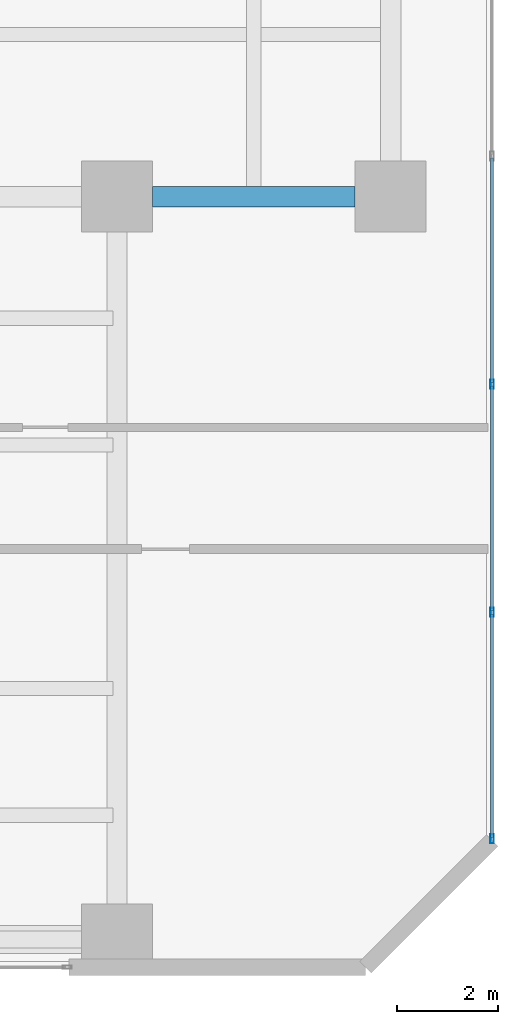
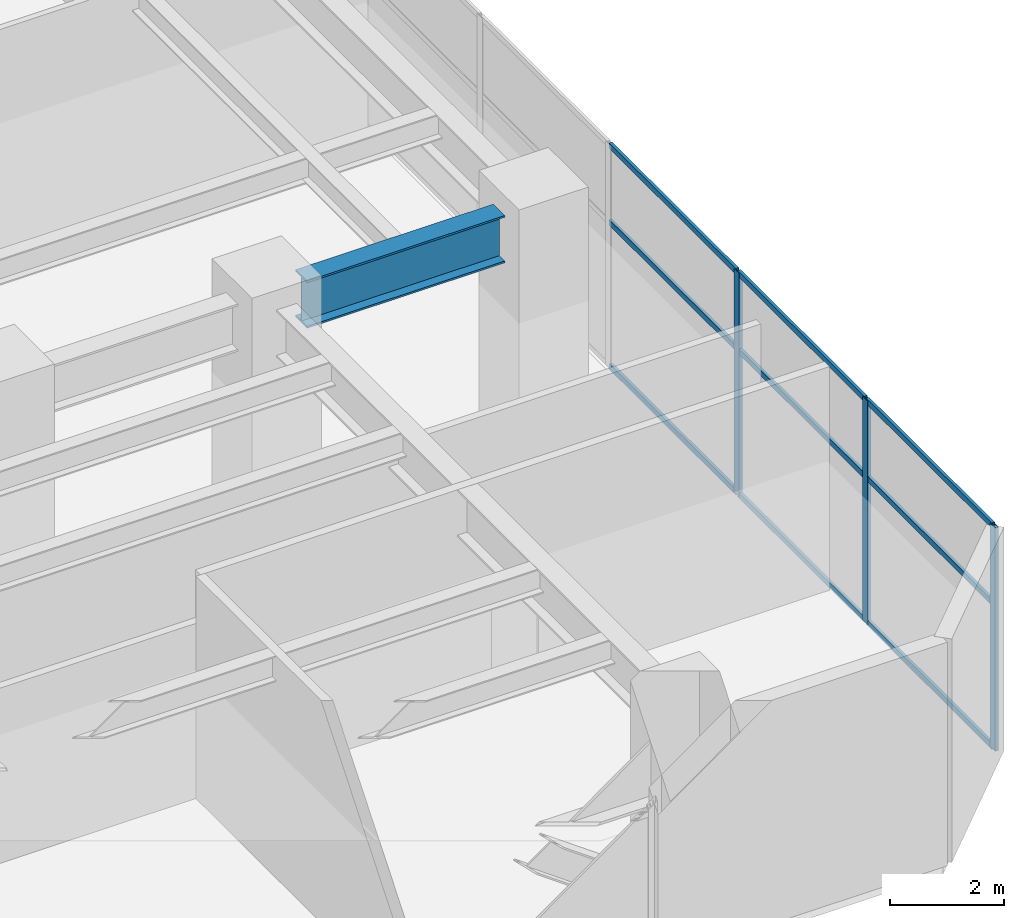
# One storey, part 9 of 29: 12 members, 1 beam, 1 element without a shape of its own.
"""IFC4 building model written with IfcOpenShell, lengths in metres."""

import ifcopenshell
import ifcopenshell.guid

model = None  # the IFC model being written
_history = None  # IfcOwnerHistory: only IFC2X3 demands one
_inside = {}  # id of a spatial element -> (the spatial element, [elements in it])
_under = {}  # id of a project, library or spatial element -> (it, [spatial elements below it])
_declared = {}  # id of a project -> (the project, [libraries it declares])
_typed = {}  # id of a type object -> (the type object, [elements of that type])
_made_of = {}  # id of a material, layer set ... -> (it, [elements and type objects made of it])


def new_model(schema):
    """Start an empty IFC model of exactly this schema.

    Asked for "IFC4X3", IfcOpenShell would pick the latest addendum, in which some entities
    have other attributes; the version numbers below select the first issue.
    IFC2X3 requires an IfcOwnerHistory on every rooted entity: one is made here for all.
    """
    global model, _history
    if schema == "IFC4X3":
        model = ifcopenshell.file(schema_version=(4, 3, 0, 0))
    else:
        model = ifcopenshell.file(schema=schema)
    _inside.clear()
    _under.clear()
    _declared.clear()
    _typed.clear()
    _made_of.clear()
    _history = None
    if model.schema == "IFC2X3":
        org = make("IfcOrganization", Name="unknown")
        user = make(
            "IfcPersonAndOrganization",
            ThePerson=make("IfcPerson", FamilyName="unknown"),
            TheOrganization=org,
        )
        app = make(
            "IfcApplication",
            ApplicationDeveloper=org,
            Version="unknown",
            ApplicationFullName="unknown",
            ApplicationIdentifier="unknown",
        )
        _history = make(
            "IfcOwnerHistory",
            OwningUser=user,
            OwningApplication=app,
            ChangeAction="ADDED",
            CreationDate=0,
        )
    return model


def make(cls, **values):
    """One entity of the class cls with the attributes given. An attribute that is None is left unset."""
    return model.create_entity(
        cls, **{name: value for name, value in values.items() if value is not None}
    )


def rooted(cls, **values):
    """An entity with a GlobalId (a new one), such as an element, a storey or a relation."""
    return make(cls, GlobalId=ifcopenshell.guid.new(), OwnerHistory=_history, **values)


def si_unit(unit_type, name, prefix=None):
    """IfcSIUnit, for example si_unit("LENGTHUNIT", "METRE", prefix="MILLI")."""
    return make("IfcSIUnit", UnitType=unit_type, Prefix=prefix, Name=name)


def assignment(units):
    """IfcUnitAssignment: the units of a project."""
    return None if units is None else make("IfcUnitAssignment", Units=units)


def point(xyz):
    """IfcCartesianPoint."""
    return None if xyz is None else make("IfcCartesianPoint", Coordinates=xyz)


def direction(xyz):
    """IfcDirection."""
    return None if xyz is None else make("IfcDirection", DirectionRatios=xyz)


def frame(location, z_axis=None, x_axis=None):
    """IfcAxis2Placement3D, a coordinate frame: its origin and axes. An axis left out is left unset."""
    return make(
        "IfcAxis2Placement3D",
        Location=point(location),
        Axis=direction(z_axis),
        RefDirection=direction(x_axis),
    )


def frame_2d(location, x_axis=None):
    """IfcAxis2Placement2D, a coordinate frame in the plane: its origin and x axis."""
    return make(
        "IfcAxis2Placement2D", Location=point(location), RefDirection=direction(x_axis)
    )


def origin():
    """The frame at (0, 0, 0) with its axes left unset."""
    return frame((0.0, 0.0, 0.0))


def origin_2d():
    """The frame at (0, 0) in the plane with its x axis left unset."""
    return frame_2d((0.0, 0.0))


def place(relative_to, where):
    """IfcLocalPlacement: puts the frame where relative to a parent placement (None: the world)."""
    return make(
        "IfcLocalPlacement", PlacementRelTo=relative_to, RelativePlacement=where
    )


def context(
    kind, dimensions, precision=None, world=None, true_north=None, identifier=None
):
    """IfcGeometricRepresentationContext, for example the 3D "Model" context."""
    return make(
        "IfcGeometricRepresentationContext",
        ContextIdentifier=identifier,
        ContextType=kind,
        CoordinateSpaceDimension=dimensions,
        Precision=precision,
        WorldCoordinateSystem=world,
        TrueNorth=true_north,
    )


def subcontext(parent, identifier, kind, view, scale=None):
    """IfcGeometricRepresentationSubContext, for example "Body" below "Model"."""
    return make(
        "IfcGeometricRepresentationSubContext",
        ContextIdentifier=identifier,
        ContextType=kind,
        ParentContext=parent,
        TargetScale=scale,
        TargetView=view,
    )


def project(units=None, contexts=None):
    """IfcProject with its units and contexts."""
    return rooted(
        "IfcProject",
        Name="project",
        RepresentationContexts=contexts,
        UnitsInContext=assignment(units),
    )


def spatial(cls, under=None, at=None, **own):
    """A site, building, storey or space (cls), placed at a placement, below another one or the project."""
    s = rooted(cls, ObjectPlacement=at, **own)
    if under is not None:
        _under.setdefault(under.id(), (under, []))[1].append(s)
    return s


def profile(cls, at=None, kind="AREA", **sizes):
    """A parametric profile (cls). Its sizes go by their IFC names, for example OverallWidth=200.0."""
    return make(cls, ProfileType=kind, Position=at, **sizes)


def hollow_rectangle(**sizes):
    """IfcRectangleHollowProfileDef."""
    return profile("IfcRectangleHollowProfileDef", **sizes)


def i_section(**sizes):
    """IfcIShapeProfileDef."""
    return profile("IfcIShapeProfileDef", **sizes)


def extrude(swept, where, along, depth):
    """IfcExtrudedAreaSolid: the profile swept, set in the frame where, extruded along a direction by depth."""
    return make(
        "IfcExtrudedAreaSolid",
        SweptArea=swept,
        Position=where,
        ExtrudedDirection=direction(along),
        Depth=depth,
    )


def shape(context_of_items, identifier, shape_type, items):
    """IfcShapeRepresentation: the items that make up one representation, for example the "Body"."""
    return make(
        "IfcShapeRepresentation",
        ContextOfItems=context_of_items,
        RepresentationIdentifier=identifier,
        RepresentationType=shape_type,
        Items=items,
    )


def material(Name=None, Category=None):
    """IfcMaterial."""
    return make("IfcMaterial", Name=Name, Category=Category)


def layer(
    of_material, thickness, ventilated=None, Name=None, Category=None, Priority=None
):
    """IfcMaterialLayer: one layer of a wall or slab, of a material (None: an air gap)."""
    return make(
        "IfcMaterialLayer",
        Material=of_material,
        LayerThickness=thickness,
        IsVentilated=ventilated,
        Name=Name,
        Category=Category,
        Priority=Priority,
    )


def layer_set(layers, Name=None):
    """IfcMaterialLayerSet."""
    return make("IfcMaterialLayerSet", MaterialLayers=layers, LayerSetName=Name)


def material_profile(
    of_material, cross_section, Name=None, Category=None, Priority=None
):
    """IfcMaterialProfile: a cross section and its material."""
    return make(
        "IfcMaterialProfile",
        Name=Name,
        Material=of_material,
        Profile=cross_section,
        Priority=Priority,
        Category=Category,
    )


def profile_set(profiles, Name=None, composite=None):
    """IfcMaterialProfileSet."""
    return make(
        "IfcMaterialProfileSet",
        Name=Name,
        MaterialProfiles=profiles,
        CompositeProfile=composite,
    )


def made_of(thing, what):
    """Note that an element or type object is made of a material, layer set ...; save() writes the relation."""
    if what is not None:
        _made_of.setdefault(what.id(), (what, []))[1].append(thing)
    return thing


def type_object(cls, material=None, **own):
    """A type object (cls), such as IfcWallType, which elements share."""
    return made_of(rooted(cls, **own), material)


def element(
    cls,
    number,
    at=None,
    inside=None,
    cuts=None,
    type_object=None,
    material=None,
    context=None,
    identifier="Body",
    shape_type=None,
    held_by="IfcProductDefinitionShape",
    body=None,
    shapes=None,
    **own,
):
    """One element of the class cls, such as IfcWall. Its Tag is "e" and its number.

    at: its placement. inside: the storey or other place that contains it. cuts: it is an
    opening in that element (IfcRelVoidsElement). A single representation is given by context,
    identifier, shape_type and body (its items); several are given by shapes. held_by: the class
    of the entity that holds the representations. save() writes the other relations.
    """
    e = rooted(cls, Tag="e%d" % number, ObjectPlacement=at, **own)
    if body is not None:
        shapes = [shape(context, identifier, shape_type, body)]
    if shapes is not None:
        e.Representation = make(held_by, Representations=shapes)
    if inside is not None:
        _inside.setdefault(inside.id(), (inside, []))[1].append(e)
    if cuts is not None:
        rooted(
            "IfcRelVoidsElement", RelatingBuildingElement=cuts, RelatedOpeningElement=e
        )
    if type_object is not None:
        _typed.setdefault(type_object.id(), (type_object, []))[1].append(e)
    return made_of(e, material)


def aggregate(whole, parts):
    """IfcRelAggregates: a whole, such as a stair, and the parts it consists of."""
    return rooted("IfcRelAggregates", RelatingObject=whole, RelatedObjects=parts)


def save(model, path):
    """Write the relations noted so far, then the file.

    IfcRelAggregates (storeys below a building ...), IfcRelContainedInSpatialStructure (elements
    in a storey), IfcRelDefinesByType, IfcRelAssociatesMaterial and IfcRelDeclares: one each for
    every whole, place, type object, material and project.
    """
    for whole, parts in _under.values():
        aggregate(whole, parts)
    for where, things in _inside.values():
        rooted(
            "IfcRelContainedInSpatialStructure",
            RelatedElements=things,
            RelatingStructure=where,
        )
    for kind, things in _typed.values():
        rooted("IfcRelDefinesByType", RelatedObjects=things, RelatingType=kind)
    for what, things in _made_of.values():
        rooted("IfcRelAssociatesMaterial", RelatedObjects=things, RelatingMaterial=what)
    for by, libraries in _declared.values():
        rooted("IfcRelDeclares", RelatingContext=by, RelatedDefinitions=libraries)
    model.write(path)


model = new_model("IFC4")

# Units and contexts
model_context = context("Model", 3, precision=1e-05, world=origin(), true_north=direction((0.0, 1.0)))
body_context = subcontext(model_context, "Body", "Model", "MODEL_VIEW")
ifc_project = project(units=[si_unit("LENGTHUNIT", "METRE"), si_unit("AREAUNIT", "SQUARE_METRE"), si_unit("VOLUMEUNIT", "CUBIC_METRE"), si_unit("PLANEANGLEUNIT", "RADIAN"), si_unit("MASSUNIT", "GRAM", prefix="KILO")], contexts=[model_context])

# Site, building, storey
site_placement = place(None, origin())
site = spatial("IfcSite", under=ifc_project, at=site_placement, CompositionType="ELEMENT")
building_placement = place(site_placement, origin())
building = spatial("IfcBuilding", under=site, at=building_placement, Name="Mawjaban Terraces University", CompositionType="ELEMENT")
storey_placement = place(building_placement, frame((0.0, 0.0, 20.800048828125)))
storey = spatial("IfcBuildingStorey", under=building, at=storey_placement, Name="L04", CompositionType="ELEMENT", Elevation=20.800048828125)

# Beam
ifc_material_1 = material(Name="Steel ASTM A913 Grade 65", Category="steel")
ifc_material_profile_1 = material_profile(ifc_material_1, i_section(OverallWidth=0.402099609375, OverallDepth=1.011962890625, WebThickness=0.02392578125, FlangeThickness=0.0400390625, at=origin_2d()), Name="W1000X443")
ifc_profile_set_1 = profile_set([ifc_material_profile_1], Name="Steel ASTM A913 Grade 65")
beam_type = type_object("IfcBeamType", Name="Beam_B_W1000X443", PredefinedType="BEAM", material=ifc_profile_set_1)
beam_placement = place(storey_placement, frame((69.300048828125, 15.199951171875, 4.27392578125), z_axis=(1.0, 0.0, 0.0), x_axis=(0.0, 1.0, 0.0)))
element("IfcBeam", 1, at=beam_placement, inside=storey, type_object=beam_type, Name="L04 Beam BM-L04-EW-11", PredefinedType="BEAM", context=body_context, shape_type="SweptSolid", body=[
    extrude(i_section(OverallWidth=0.402099609375, OverallDepth=1.011962890625, WebThickness=0.02392578125, FlangeThickness=0.0400390625, at=origin_2d()), origin(), (0.0, 0.0, 1.0), 4.0),
])

# Curtain wall, members
ifc_material_2 = material(Name="Anodised aluminium 6063-T6 and solar-control low-E glass", Category="aluminium")
ifc_layer = layer(ifc_material_2, 0.175048828125)
ifc_layer_set = layer_set([ifc_layer], Name="Anodised aluminium 6063-T6 and solar-control low-E glass")
curtain_wall_type = type_object("IfcCurtainWallType", Name="CWSystem_02_PodiumLibrary", PredefinedType="NOTDEFINED", material=ifc_layer_set)
curtain_wall_placement = place(storey_placement, origin())
curtain_wall = element("IfcCurtainWall", 2, at=curtain_wall_placement, inside=storey, type_object=curtain_wall_type, Name="L04 Curtain Wall CW-02 Run 3.1", PredefinedType="NOTDEFINED")
ifc_material_3 = material(Name="Anodised aluminium 6063-T6", Category="aluminium")
ifc_material_profile_2 = material_profile(ifc_material_3, hollow_rectangle(XDim=0.06494140625, YDim=0.179931640625, WallThickness=0.00390625, at=origin_2d()), Name="ALU180X65X4")
ifc_profile_set_2 = profile_set([ifc_material_profile_2], Name="Anodised aluminium 6063-T6")
member_type_1 = type_object("IfcMemberType", Name="Mullion_CW-02", PredefinedType="MULLION", material=ifc_profile_set_2)
member_1_placement = place(storey_placement, frame((76.0, 2.532470703125, 0.0), z_axis=(0.0, 0.0, 1.0), x_axis=(-1.0, 0.0, 0.0)))
member_1 = element("IfcMember", 3, at=member_1_placement, type_object=member_type_1, Name="CW-02 mullion 1", PredefinedType="MULLION", context=body_context, shape_type="SweptSolid", body=[
    extrude(hollow_rectangle(XDim=0.06494140625, YDim=0.179931640625, WallThickness=0.00390625, at=origin_2d()), origin(), (0.0, 0.0, 1.0), 4.780029296875),
])
member_2_placement = place(storey_placement, frame((76.0, 7.0, 0.0), z_axis=(0.0, 0.0, 1.0), x_axis=(-1.0, 0.0, 0.0)))
member_2 = element("IfcMember", 4, at=member_2_placement, type_object=member_type_1, Name="CW-02 mullion 2", PredefinedType="MULLION", context=body_context, shape_type="SweptSolid", body=[
    extrude(hollow_rectangle(XDim=0.06494140625, YDim=0.179931640625, WallThickness=0.00390625, at=origin_2d()), origin(), (0.0, 0.0, 1.0), 4.780029296875),
])
member_3_placement = place(storey_placement, frame((76.0, 11.5, 0.0), z_axis=(0.0, 0.0, 1.0), x_axis=(-1.0, 0.0, 0.0)))
member_3 = element("IfcMember", 5, at=member_3_placement, type_object=member_type_1, Name="CW-02 mullion 3", PredefinedType="MULLION", context=body_context, shape_type="SweptSolid", body=[
    extrude(hollow_rectangle(XDim=0.06494140625, YDim=0.179931640625, WallThickness=0.00390625, at=origin_2d()), origin(), (0.0, 0.0, 1.0), 4.780029296875),
])
ifc_material_profile_3 = material_profile(ifc_material_3, hollow_rectangle(XDim=0.06005859375, YDim=0.1201171875, WallThickness=0.00341796875, at=origin_2d()), Name="ALU120X60X3.5")
ifc_profile_set_3 = profile_set([ifc_material_profile_3], Name="Anodised aluminium 6063-T6")
member_type_2 = type_object("IfcMemberType", Name="Transom_CW-02", PredefinedType="NOTDEFINED", material=ifc_profile_set_3)
member_4_placement = place(storey_placement, frame((76.0, 2.56494140625, 0.030029296875), z_axis=(0.0, 1.0, 0.0), x_axis=(-1.0, 0.0, 0.0)))
member_4 = element("IfcMember", 6, at=member_4_placement, type_object=member_type_2, Name="CW-02 transom 1.1", ObjectType="TRANSOM", PredefinedType="USERDEFINED", context=body_context, shape_type="SweptSolid", body=[
    extrude(hollow_rectangle(XDim=0.06005859375, YDim=0.1201171875, WallThickness=0.00341796875, at=origin_2d()), origin(), (0.0, 0.0, 1.0), 4.402587890625),
])
member_5_placement = place(storey_placement, frame((76.0, 2.56494140625, 3.10693359375), z_axis=(0.0, 1.0, 0.0), x_axis=(-1.0, 0.0, 0.0)))
member_5 = element("IfcMember", 7, at=member_5_placement, type_object=member_type_2, Name="CW-02 transom 1.2", ObjectType="TRANSOM", PredefinedType="USERDEFINED", context=body_context, shape_type="SweptSolid", body=[
    extrude(hollow_rectangle(XDim=0.06005859375, YDim=0.1201171875, WallThickness=0.00341796875, at=origin_2d()), origin(), (0.0, 0.0, 1.0), 4.402587890625),
])
member_6_placement = place(storey_placement, frame((76.0, 2.56494140625, 4.75), z_axis=(0.0, 1.0, 0.0), x_axis=(-1.0, 0.0, 0.0)))
member_6 = element("IfcMember", 8, at=member_6_placement, type_object=member_type_2, Name="CW-02 transom 1.3", ObjectType="TRANSOM", PredefinedType="USERDEFINED", context=body_context, shape_type="SweptSolid", body=[
    extrude(hollow_rectangle(XDim=0.06005859375, YDim=0.1201171875, WallThickness=0.00341796875, at=origin_2d()), origin(), (0.0, 0.0, 1.0), 4.402587890625),
])
member_7_placement = place(storey_placement, frame((76.0, 7.032470703125, 0.030029296875), z_axis=(0.0, 1.0, 0.0), x_axis=(-1.0, 0.0, 0.0)))
member_7 = element("IfcMember", 9, at=member_7_placement, type_object=member_type_2, Name="CW-02 transom 2.1", ObjectType="TRANSOM", PredefinedType="USERDEFINED", context=body_context, shape_type="SweptSolid", body=[
    extrude(hollow_rectangle(XDim=0.06005859375, YDim=0.1201171875, WallThickness=0.00341796875, at=origin_2d()), origin(), (0.0, 0.0, 1.0), 4.43505859375),
])
member_8_placement = place(storey_placement, frame((76.0, 7.032470703125, 3.10693359375), z_axis=(0.0, 1.0, 0.0), x_axis=(-1.0, 0.0, 0.0)))
member_8 = element("IfcMember", 10, at=member_8_placement, type_object=member_type_2, Name="CW-02 transom 2.2", ObjectType="TRANSOM", PredefinedType="USERDEFINED", context=body_context, shape_type="SweptSolid", body=[
    extrude(hollow_rectangle(XDim=0.06005859375, YDim=0.1201171875, WallThickness=0.00341796875, at=origin_2d()), origin(), (0.0, 0.0, 1.0), 4.43505859375),
])
member_9_placement = place(storey_placement, frame((76.0, 7.032470703125, 4.75), z_axis=(0.0, 1.0, 0.0), x_axis=(-1.0, 0.0, 0.0)))
member_9 = element("IfcMember", 11, at=member_9_placement, type_object=member_type_2, Name="CW-02 transom 2.3", ObjectType="TRANSOM", PredefinedType="USERDEFINED", context=body_context, shape_type="SweptSolid", body=[
    extrude(hollow_rectangle(XDim=0.06005859375, YDim=0.1201171875, WallThickness=0.00341796875, at=origin_2d()), origin(), (0.0, 0.0, 1.0), 4.43505859375),
])
member_10_placement = place(storey_placement, frame((76.0, 11.532470703125, 0.030029296875), z_axis=(0.0, 1.0, 0.0), x_axis=(-1.0, 0.0, 0.0)))
member_10 = element("IfcMember", 12, at=member_10_placement, type_object=member_type_2, Name="CW-02 transom 3.1", ObjectType="TRANSOM", PredefinedType="USERDEFINED", context=body_context, shape_type="SweptSolid", body=[
    extrude(hollow_rectangle(XDim=0.06005859375, YDim=0.1201171875, WallThickness=0.00341796875, at=origin_2d()), origin(), (0.0, 0.0, 1.0), 4.43505859375),
])
member_11_placement = place(storey_placement, frame((76.0, 11.532470703125, 3.10693359375), z_axis=(0.0, 1.0, 0.0), x_axis=(-1.0, 0.0, 0.0)))
member_11 = element("IfcMember", 13, at=member_11_placement, type_object=member_type_2, Name="CW-02 transom 3.2", ObjectType="TRANSOM", PredefinedType="USERDEFINED", context=body_context, shape_type="SweptSolid", body=[
    extrude(hollow_rectangle(XDim=0.06005859375, YDim=0.1201171875, WallThickness=0.00341796875, at=origin_2d()), origin(), (0.0, 0.0, 1.0), 4.43505859375),
])
member_12_placement = place(storey_placement, frame((76.0, 11.532470703125, 4.75), z_axis=(0.0, 1.0, 0.0), x_axis=(-1.0, 0.0, 0.0)))
member_12 = element("IfcMember", 14, at=member_12_placement, type_object=member_type_2, Name="CW-02 transom 3.3", ObjectType="TRANSOM", PredefinedType="USERDEFINED", context=body_context, shape_type="SweptSolid", body=[
    extrude(hollow_rectangle(XDim=0.06005859375, YDim=0.1201171875, WallThickness=0.00341796875, at=origin_2d()), origin(), (0.0, 0.0, 1.0), 4.43505859375),
])
aggregate(curtain_wall, [member_1, member_2, member_3, member_4, member_5, member_6, member_7, member_8, member_9, member_10, member_11, member_12])

save(model, "model.ifc")
